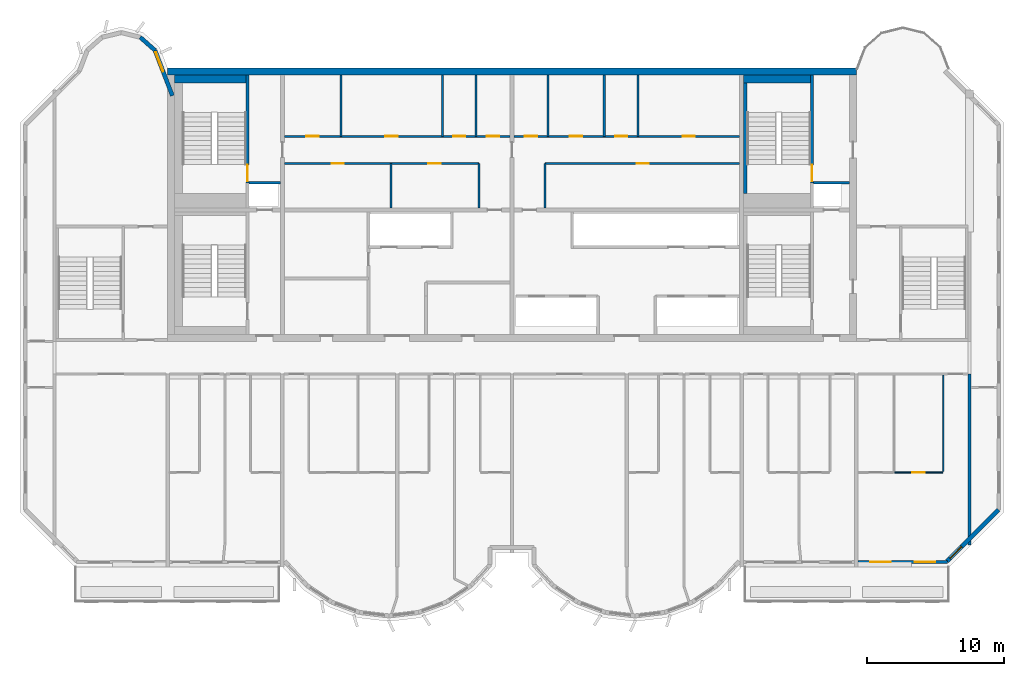
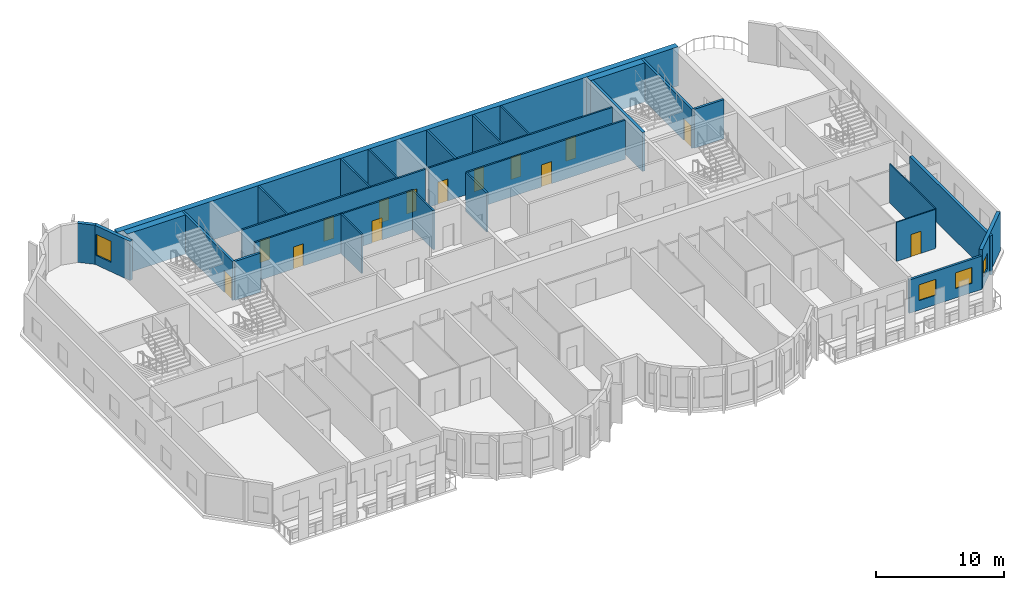
# One storey, part 7 of 11: 28 walls, 14 doors, 4 windows, 18 openings.
"""IFC4 building model written with IfcOpenShell, lengths in metres."""

from ifc_helpers import new_model, si_unit, direction, frame, frame_2d, origin, place, context, subcontext, project, spatial, rectangle, extrude, source, transform, mapped, material, layer, layer_set, type_object, element, fill, save


model = new_model("IFC4")

# Units and contexts
model_context = context("Model", 3, precision=1e-05, world=origin(), true_north=direction((0.0, 1.0)))
body_context = subcontext(model_context, "Body", "Model", "MODEL_VIEW")
ifc_project = project(units=[si_unit("LENGTHUNIT", "METRE"), si_unit("AREAUNIT", "SQUARE_METRE"), si_unit("VOLUMEUNIT", "CUBIC_METRE"), si_unit("PLANEANGLEUNIT", "RADIAN"), si_unit("MASSUNIT", "GRAM", prefix="KILO")], contexts=[model_context])

# Site, building, storey
site_placement = place(None, origin())
site = spatial("IfcSite", under=ifc_project, at=site_placement, CompositionType="ELEMENT")
building_placement = place(site_placement, origin())
building = spatial("IfcBuilding", under=site, at=building_placement, Name="Vanashikhar Sky Hotel", CompositionType="ELEMENT")
storey_placement = place(building_placement, frame((0.0, 0.0, 305.699951171875)))
storey = spatial("IfcBuildingStorey", under=building, at=storey_placement, Name="L73", CompositionType="ELEMENT", Elevation=305.699951171875)

# Walls
ifc_material_1 = material(Name="Concrete M50", Category="concrete")
ifc_layer_1 = layer(ifc_material_1, 0.5)
ifc_layer_set_1 = layer_set([ifc_layer_1], Name="RC core shell wall 500 Concrete M50")
wall_type_1 = type_object("IfcWallType", Name="RC core shell wall 500 Concrete M50", PredefinedType="SHEAR", material=ifc_layer_set_1)
shared_shape_1 = source(origin(), body_context, "Body", "SweptSolid", [
    extrude(rectangle(XDim=50.400146484375, YDim=0.5, at=frame_2d((25.2001953125, 0.0))), origin(), (0.0, 0.0, 1.0), 3.719970703125),
])
wall_1_placement = place(storey_placement, frame((25.199951171875, 41.75, 0.0), z_axis=(0.0, 0.0, 1.0), x_axis=(1.0, 0.0, 0.0)))
element("IfcWall", 1, at=wall_1_placement, inside=storey, type_object=wall_type_1, Name="KW-L73-KN", PredefinedType="SHEAR", context=body_context, shape_type="MappedRepresentation", body=[
    mapped(shared_shape_1, transform((0.0, 0.0, 0.0), scale=1.0)),
])
ifc_layer_2 = layer(ifc_material_1, 0.25)
ifc_layer_set_2 = layer_set([ifc_layer_2], Name="RC shear wall 250 Concrete M50")
wall_type_2 = type_object("IfcWallType", Name="RC shear wall 250 Concrete M50", PredefinedType="SHEAR", material=ifc_layer_set_2)
shared_shape_2 = source(origin(), body_context, "Body", "SweptSolid", [
    extrude(rectangle(XDim=12.5, YDim=0.25, at=frame_2d((6.25, 0.0))), origin(), (0.0, 0.0, 1.0), 3.719970703125),
])
wall_2_placement = place(storey_placement, frame((83.875, 7.10009765625, 0.0), z_axis=(0.0, 0.0, 1.0), x_axis=(0.0, 1.0, 0.0)))
element("IfcWall", 2, at=wall_2_placement, inside=storey, type_object=wall_type_2, Name="CW-L73-XW11-1", PredefinedType="SHEAR", context=body_context, shape_type="MappedRepresentation", body=[
    mapped(shared_shape_2, transform((0.0, 0.0, 0.0), scale=1.0)),
])

# Wall, openings, windows
ifc_layer_3 = layer(ifc_material_1, 0.199951171875)
ifc_layer_set_3 = layer_set([ifc_layer_3], Name="Front window wall 200")
wall_type_3 = type_object("IfcWallType", Name="Front window wall 200", PredefinedType="SOLIDWALL", material=ifc_layer_set_3)
shared_shape_3 = source(origin(), body_context, "Body", "SweptSolid", [
    extrude(rectangle(XDim=6.52978515625, YDim=0.199951171875, at=frame_2d((3.264892578125, 0.0))), origin(), (0.0, 0.0, 1.0), 3.170166015625),
])
wall_3_placement = place(storey_placement, frame((75.72509765625, 5.85009765625, 0.0), z_axis=(0.0, 0.0, 1.0), x_axis=(1.0, 0.0, 0.0)))
wall_3 = element("IfcWall", 3, at=wall_3_placement, inside=storey, type_object=wall_type_3, Name="Front window wall", PredefinedType="SOLIDWALL", context=body_context, shape_type="MappedRepresentation", body=[
    mapped(shared_shape_3, transform((0.0, 0.0, 0.0), scale=1.0)),
])
shared_shape_4 = source(origin(), body_context, "Body", "SweptSolid", [
    extrude(rectangle(XDim=1.5, YDim=1.5, at=frame_2d((0.75, 0.75))), frame((0.0, 0.10986328125, 0.0), z_axis=(0.0, -1.0, 0.0), x_axis=(1.0, 0.0, 0.0)), (0.0, 0.0, 1.0), 0.219970703125),
])
opening_1_placement = place(wall_3_placement, frame((0.882568359375, 0.0, 0.89990234375)))
opening_1 = element("IfcOpeningElement", 4, at=opening_1_placement, cuts=wall_3, Name="Opening WN-1", PredefinedType="OPENING", context=body_context, shape_type="MappedRepresentation", body=[
    mapped(shared_shape_4, transform((0.0, 0.0, 0.0), scale=1.0)),
])
opening_2_placement = place(wall_3_placement, frame((4.1474609375, 0.0, 0.89990234375)))
opening_2 = element("IfcOpeningElement", 5, at=opening_2_placement, cuts=wall_3, Name="Opening WN-1", PredefinedType="OPENING", context=body_context, shape_type="MappedRepresentation", body=[
    mapped(shared_shape_4, transform((0.0, 0.0, 0.0), scale=1.0)),
])
ifc_material_2 = material(Name="Glass", Category="glass")
window_type_1 = type_object("IfcWindowType", Name="Window 1500 x 1500", PartitioningType="SINGLE_PANEL", PredefinedType="WINDOW", material=ifc_material_2)
shared_shape_5 = source(origin(), body_context, "Body", "SweptSolid", [
    extrude(rectangle(XDim=1.5, YDim=1.5, at=frame_2d((0.75, 0.75))), frame((0.0, 0.030029296875, 0.0), z_axis=(0.0, -1.0, 0.0), x_axis=(1.0, 0.0, 0.0)), (0.0, 0.0, 1.0), 0.06005859375),
])
window_1_placement = place(opening_1_placement, origin())
window_1 = element("IfcWindow", 6, at=window_1_placement, inside=storey, type_object=window_type_1, Name="Window WN-1", OverallHeight=1.5, OverallWidth=1.5, PartitioningType="SINGLE_PANEL", PredefinedType="WINDOW", context=body_context, shape_type="MappedRepresentation", body=[
    mapped(shared_shape_5, transform((0.0, 0.0, 0.0), scale=1.0)),
])
fill(opening_1, window_1)
window_2_placement = place(opening_2_placement, origin())
window_2 = element("IfcWindow", 7, at=window_2_placement, inside=storey, type_object=window_type_1, Name="Window WN-1", OverallHeight=1.5, OverallWidth=1.5, PartitioningType="SINGLE_PANEL", PredefinedType="WINDOW", context=body_context, shape_type="MappedRepresentation", body=[
    mapped(shared_shape_5, transform((0.0, 0.0, 0.0), scale=1.0)),
])
fill(opening_2, window_2)

# Wall, opening, window
ifc_layer_4 = layer(ifc_material_1, 0.300048828125)
ifc_layer_set_4 = layer_set([ifc_layer_4], Name="Lobe wall 300")
wall_type_4 = type_object("IfcWallType", Name="Lobe wall 300", PredefinedType="SOLIDWALL", material=ifc_layer_set_4)
shared_shape_6 = source(origin(), body_context, "Body", "SweptSolid", [
    extrude(rectangle(XDim=5.32568359375, YDim=0.300048828125, at=frame_2d((2.662841796875, 0.0))), origin(), (0.0, 0.0, 1.0), 3.719970703125),
])
wall_4_placement = place(storey_placement, frame((82.234375, 5.89990234375, 0.0), z_axis=(0.0, 0.0, 1.0), x_axis=(0.707083859269, 0.707129702361, 0.0)))
wall_4 = element("IfcWall", 8, at=wall_4_placement, inside=storey, type_object=wall_type_4, Name="Corner wall", PredefinedType="SOLIDWALL", context=body_context, shape_type="MappedRepresentation", body=[
    mapped(shared_shape_6, transform((0.0, 0.0, 0.0), scale=1.0)),
])
shared_shape_7 = source(origin(), body_context, "Body", "SweptSolid", [
    extrude(rectangle(XDim=1.199951171875, YDim=1.5, at=frame_2d((0.60009765625, 0.75))), frame((0.0, 0.16015625, 0.0), z_axis=(0.0, -1.0, 0.0), x_axis=(1.0, 0.0, 0.0)), (0.0, 0.0, 1.0), 0.320068359375),
])
opening_3_placement = place(wall_4_placement, frame((0.31005859375, 0.0, 0.89990234375)))
opening_3 = element("IfcOpeningElement", 9, at=opening_3_placement, cuts=wall_4, Name="Opening WN-3", PredefinedType="OPENING", context=body_context, shape_type="MappedRepresentation", body=[
    mapped(shared_shape_7, transform((0.0, 0.0, 0.0), scale=1.0)),
])
window_type_2 = type_object("IfcWindowType", Name="Corridor end window 1200 x 1500", PartitioningType="SINGLE_PANEL", PredefinedType="WINDOW", material=ifc_material_2)
shared_shape_8 = source(origin(), body_context, "Body", "SweptSolid", [
    extrude(rectangle(XDim=1.199951171875, YDim=1.5, at=frame_2d((0.60009765625, 0.75))), frame((0.0, 0.030029296875, 0.0), z_axis=(0.0, -1.0, 0.0), x_axis=(1.0, 0.0, 0.0)), (0.0, 0.0, 1.0), 0.06005859375),
])
window_3_placement = place(opening_3_placement, origin())
window_3 = element("IfcWindow", 10, at=window_3_placement, inside=storey, type_object=window_type_2, Name="Window WN-3", OverallHeight=1.5, OverallWidth=1.199951171875, PartitioningType="SINGLE_PANEL", PredefinedType="WINDOW", context=body_context, shape_type="MappedRepresentation", body=[
    mapped(shared_shape_8, transform((0.0, 0.0, 0.0), scale=1.0)),
])
fill(opening_3, window_3)

shared_shape_9 = source(origin(), body_context, "Body", "SweptSolid", [
    extrude(rectangle(XDim=3.55908203125, YDim=0.300048828125, at=frame_2d((1.779541015625, 0.0))), origin(), (0.0, 0.0, 1.0), 3.719970703125),
])
wall_5_placement = place(storey_placement, frame((25.550048828125, 39.968505859375, 0.0), z_axis=(0.0, 0.0, 1.0), x_axis=(-0.35779745313, 0.933799219604, 0.0)))
wall_5 = element("IfcWall", 11, at=wall_5_placement, inside=storey, type_object=wall_type_4, Name="Lobe wall", PredefinedType="SOLIDWALL", context=body_context, shape_type="MappedRepresentation", body=[
    mapped(shared_shape_9, transform((0.0, 0.0, 0.0), scale=1.0)),
])
shared_shape_10 = source(origin(), body_context, "Body", "SweptSolid", [
    extrude(rectangle(XDim=1.5, YDim=2.0, at=frame_2d((0.75, 1.0))), frame((0.0, 0.16015625, 0.0), z_axis=(0.0, -1.0, 0.0), x_axis=(1.0, 0.0, 0.0)), (0.0, 0.0, 1.0), 0.320068359375),
])
opening_4_placement = place(wall_5_placement, frame((1.9033203125, 0.0, 0.89990234375)))
opening_4 = element("IfcOpeningElement", 12, at=opening_4_placement, cuts=wall_5, Name="Opening WN-2", PredefinedType="OPENING", context=body_context, shape_type="MappedRepresentation", body=[
    mapped(shared_shape_10, transform((0.0, 0.0, 0.0), scale=1.0)),
])
window_type_3 = type_object("IfcWindowType", Name="Lobe window 1500 x 2000", PartitioningType="SINGLE_PANEL", PredefinedType="WINDOW", material=ifc_material_2)
shared_shape_11 = source(origin(), body_context, "Body", "SweptSolid", [
    extrude(rectangle(XDim=1.5, YDim=2.0, at=frame_2d((0.75, 1.0))), frame((0.0, 0.030029296875, 0.0), z_axis=(0.0, -1.0, 0.0), x_axis=(1.0, 0.0, 0.0)), (0.0, 0.0, 1.0), 0.06005859375),
])
window_4_placement = place(opening_4_placement, origin())
window_4 = element("IfcWindow", 13, at=window_4_placement, inside=storey, type_object=window_type_3, Name="Window WN-2", OverallHeight=2.0, OverallWidth=1.5, PartitioningType="SINGLE_PANEL", PredefinedType="WINDOW", context=body_context, shape_type="MappedRepresentation", body=[
    mapped(shared_shape_11, transform((0.0, 0.0, 0.0), scale=1.0)),
])
fill(opening_4, window_4)

# Walls
shared_shape_12 = source(origin(), body_context, "Body", "SweptSolid", [
    extrude(rectangle(XDim=1.440185546875, YDim=0.300048828125, at=frame_2d((0.72021484375, 0.0))), origin(), (0.0, 0.0, 1.0), 3.719970703125),
])
wall_6_placement = place(storey_placement, frame((24.276611328125, 43.2919921875, 0.0), z_axis=(0.0, 0.0, 1.0), x_axis=(-0.749649827867, 0.661834673902, 0.0)))
element("IfcWall", 14, at=wall_6_placement, inside=storey, type_object=wall_type_4, Name="Lobe wall", PredefinedType="SOLIDWALL", context=body_context, shape_type="MappedRepresentation", body=[
    mapped(shared_shape_12, transform((0.0, 0.0, 0.0), scale=1.0)),
])
ifc_material_3 = material(Name="Gypsum board partition")
ifc_layer_5 = layer(ifc_material_3, 0.14990234375)
ifc_layer_set_5 = layer_set([ifc_layer_5], Name="Service partition 150")
wall_type_5 = type_object("IfcWallType", Name="Service partition 150", PredefinedType="PARTITIONING", material=ifc_layer_set_5)
shared_shape_13 = source(origin(), body_context, "Body", "SweptSolid", [
    extrude(rectangle(XDim=3.25, YDim=0.14990234375, at=frame_2d((1.625, 0.0))), origin(), (0.0, 0.0, 1.0), 3.719970703125),
])
for number, where, z_axis, x_axis, name in (
    (15, (48.0, 31.75, 0.0), (0.0, 0.0, 1.0), (0.0, 1.0, 0.0), "Service partition 150"),
    (16, (41.5458984375, 31.75, 0.0), (0.0, 0.0, 1.0), (0.0, 1.0, 0.0), "Service partition 150"),
    (17, (52.800048828125, 31.75, 0.0), (0.0, 0.0, 1.0), (0.0, 1.0, 0.0), "Service partition 150"),
):
    element("IfcWall", number, at=place(storey_placement, frame(where, z_axis=z_axis, x_axis=x_axis)), inside=storey, type_object=wall_type_5, Name=name, PredefinedType="PARTITIONING", context=body_context, shape_type="MappedRepresentation", body=[
        mapped(shared_shape_13, transform((0.0, 0.0, 0.0), scale=1.0)),
    ])

# Wall, openings, doors
shared_shape_14 = source(origin(), body_context, "Body", "SweptSolid", [
    extrude(rectangle(XDim=14.25, YDim=0.14990234375, at=frame_2d((7.125, 0.0))), origin(), (0.0, 0.0, 1.0), 3.719970703125),
])
wall_7_placement = place(storey_placement, frame((33.75, 35.0, 0.0), z_axis=(0.0, 0.0, 1.0), x_axis=(1.0, 0.0, 0.0)))
wall_7 = element("IfcWall", 18, at=wall_7_placement, inside=storey, type_object=wall_type_5, Name="Service partition 150", PredefinedType="PARTITIONING", context=body_context, shape_type="MappedRepresentation", body=[
    mapped(shared_shape_14, transform((0.0, 0.0, 0.0), scale=1.0)),
])
shared_shape_15 = source(origin(), body_context, "Body", "SweptSolid", [
    extrude(rectangle(XDim=0.89990234375, YDim=2.10009765625, at=frame_2d((0.449951171875, 1.050048828125))), frame((0.0, 0.0849609375, 0.0), z_axis=(0.0, -1.0, 0.0), x_axis=(1.0, 0.0, 0.0)), (0.0, 0.0, 1.0), 0.169921875),
])
opening_5_placement = place(wall_7_placement, frame((3.447998046875, 0.0, 0.0)))
opening_5 = element("IfcOpeningElement", 19, at=opening_5_placement, cuts=wall_7, Name="Opening DC-4-A", PredefinedType="OPENING", context=body_context, shape_type="MappedRepresentation", body=[
    mapped(shared_shape_15, transform((0.0, 0.0, 0.0), scale=1.0)),
])
opening_6_placement = place(wall_7_placement, frame((10.535888671875, 0.0, 0.0)))
opening_6 = element("IfcOpeningElement", 20, at=opening_6_placement, cuts=wall_7, Name="Opening DC-4-A", PredefinedType="OPENING", context=body_context, shape_type="MappedRepresentation", body=[
    mapped(shared_shape_15, transform((0.0, 0.0, 0.0), scale=1.0)),
])
ifc_material_4 = material(Name="Steel", Category="steel")
door_type_1 = type_object("IfcDoorType", Name="Service door 900 FD60", OperationType="NOTDEFINED", PredefinedType="DOOR", material=ifc_material_4)
shared_shape_16 = source(origin(), body_context, "Body", "SweptSolid", [
    extrude(rectangle(XDim=0.89990234375, YDim=2.10009765625, at=frame_2d((0.449951171875, 1.050048828125))), frame((0.0, 0.02490234375, 0.0), z_axis=(0.0, -1.0, 0.0), x_axis=(1.0, 0.0, 0.0)), (0.0, 0.0, 1.0), 0.050048828125),
])
door_1_placement = place(opening_5_placement, origin())
door_1 = element("IfcDoor", 21, at=door_1_placement, inside=storey, type_object=door_type_1, Name="Service door 900 FD60", OperationType="SINGLE_SWING_RIGHT", OverallHeight=2.10009765625, OverallWidth=0.89990234375, PredefinedType="DOOR", context=body_context, shape_type="MappedRepresentation", body=[
    mapped(shared_shape_16, transform((0.0, 0.0, 0.0), scale=1.0)),
])
fill(opening_5, door_1)
door_2_placement = place(opening_6_placement, origin())
door_2 = element("IfcDoor", 22, at=door_2_placement, inside=storey, type_object=door_type_1, Name="Service door 900 FD60", OperationType="SINGLE_SWING_RIGHT", OverallHeight=2.10009765625, OverallWidth=0.89990234375, PredefinedType="DOOR", context=body_context, shape_type="MappedRepresentation", body=[
    mapped(shared_shape_16, transform((0.0, 0.0, 0.0), scale=1.0)),
])
fill(opening_6, door_2)

# Wall, opening, door
wall_8_placement = place(storey_placement, frame((67.050048828125, 35.0, 0.0), z_axis=(0.0, 0.0, 1.0), x_axis=(-1.0, 0.0, 0.0)))
wall_8 = element("IfcWall", 23, at=wall_8_placement, inside=storey, type_object=wall_type_5, Name="Service partition 150", PredefinedType="PARTITIONING", context=body_context, shape_type="MappedRepresentation", body=[
    mapped(shared_shape_14, transform((0.0, 0.0, 0.0), scale=1.0)),
])
opening_7_placement = place(wall_8_placement, frame((6.637939453125, 0.0, 0.0)))
opening_7 = element("IfcOpeningElement", 24, at=opening_7_placement, cuts=wall_8, Name="Opening DC-4-A", PredefinedType="OPENING", context=body_context, shape_type="MappedRepresentation", body=[
    mapped(shared_shape_15, transform((0.0, 0.0, 0.0), scale=1.0)),
])
door_3_placement = place(opening_7_placement, origin())
door_3 = element("IfcDoor", 25, at=door_3_placement, inside=storey, type_object=door_type_1, Name="Service door 900 FD60", OperationType="SINGLE_SWING_RIGHT", OverallHeight=2.10009765625, OverallWidth=0.89990234375, PredefinedType="DOOR", context=body_context, shape_type="MappedRepresentation", body=[
    mapped(shared_shape_16, transform((0.0, 0.0, 0.0), scale=1.0)),
])
fill(opening_7, door_3)

# Wall, openings, doors
shared_shape_17 = source(origin(), body_context, "Body", "SweptSolid", [
    extrude(rectangle(XDim=16.5, YDim=0.14990234375, at=frame_2d((8.25, 0.0))), origin(), (0.0, 0.0, 1.0), 3.719970703125),
])
wall_9_placement = place(storey_placement, frame((33.75, 37.0, 0.0), z_axis=(0.0, 0.0, 1.0), x_axis=(1.0, 0.0, 0.0)))
wall_9 = element("IfcWall", 26, at=wall_9_placement, inside=storey, type_object=wall_type_5, Name="Service partition 150", PredefinedType="PARTITIONING", context=body_context, shape_type="MappedRepresentation", body=[
    mapped(shared_shape_17, transform((0.0, 0.0, 0.0), scale=1.0)),
])
opening_8_placement = place(wall_9_placement, frame((1.612060546875, 0.0, 0.0)))
opening_8 = element("IfcOpeningElement", 27, at=opening_8_placement, cuts=wall_9, Name="Opening DC-4-A", PredefinedType="OPENING", context=body_context, shape_type="MappedRepresentation", body=[
    mapped(shared_shape_15, transform((0.0, 0.0, 0.0), scale=1.0)),
])
opening_9_placement = place(wall_9_placement, frame((7.386962890625, 0.0, 0.0)))
opening_9 = element("IfcOpeningElement", 28, at=opening_9_placement, cuts=wall_9, Name="Opening DC-4-A", PredefinedType="OPENING", context=body_context, shape_type="MappedRepresentation", body=[
    mapped(shared_shape_15, transform((0.0, 0.0, 0.0), scale=1.0)),
])
opening_10_placement = place(wall_9_placement, frame((12.3369140625, 0.0, 0.0)))
opening_10 = element("IfcOpeningElement", 29, at=opening_10_placement, cuts=wall_9, Name="Opening DC-4-A", PredefinedType="OPENING", context=body_context, shape_type="MappedRepresentation", body=[
    mapped(shared_shape_15, transform((0.0, 0.0, 0.0), scale=1.0)),
])
opening_11_placement = place(wall_9_placement, frame((14.81298828125, 0.0, 0.0)))
opening_11 = element("IfcOpeningElement", 30, at=opening_11_placement, cuts=wall_9, Name="Opening DC-4-A", PredefinedType="OPENING", context=body_context, shape_type="MappedRepresentation", body=[
    mapped(shared_shape_15, transform((0.0, 0.0, 0.0), scale=1.0)),
])
door_4_placement = place(opening_8_placement, origin())
door_4 = element("IfcDoor", 31, at=door_4_placement, inside=storey, type_object=door_type_1, Name="Service door 900 FD60", OperationType="SINGLE_SWING_RIGHT", OverallHeight=2.10009765625, OverallWidth=0.89990234375, PredefinedType="DOOR", context=body_context, shape_type="MappedRepresentation", body=[
    mapped(shared_shape_16, transform((0.0, 0.0, 0.0), scale=1.0)),
])
fill(opening_8, door_4)
door_5_placement = place(opening_9_placement, origin())
door_5 = element("IfcDoor", 32, at=door_5_placement, inside=storey, type_object=door_type_1, Name="Service door 900 FD60", OperationType="SINGLE_SWING_LEFT", OverallHeight=2.10009765625, OverallWidth=0.89990234375, PredefinedType="DOOR", context=body_context, shape_type="MappedRepresentation", body=[
    mapped(shared_shape_16, transform((0.0, 0.0, 0.0), scale=1.0)),
])
fill(opening_9, door_5)
door_6_placement = place(opening_10_placement, origin())
door_6 = element("IfcDoor", 33, at=door_6_placement, inside=storey, type_object=door_type_1, Name="Service door 900 FD60", OperationType="SINGLE_SWING_LEFT", OverallHeight=2.10009765625, OverallWidth=0.89990234375, PredefinedType="DOOR", context=body_context, shape_type="MappedRepresentation", body=[
    mapped(shared_shape_16, transform((0.0, 0.0, 0.0), scale=1.0)),
])
fill(opening_10, door_6)
door_7_placement = place(opening_11_placement, origin())
door_7 = element("IfcDoor", 34, at=door_7_placement, inside=storey, type_object=door_type_1, Name="Service door 900 FD60", OperationType="SINGLE_SWING_LEFT", OverallHeight=2.10009765625, OverallWidth=0.89990234375, PredefinedType="DOOR", context=body_context, shape_type="MappedRepresentation", body=[
    mapped(shared_shape_16, transform((0.0, 0.0, 0.0), scale=1.0)),
])
fill(opening_11, door_7)

wall_10_placement = place(storey_placement, frame((67.050048828125, 37.0, 0.0), z_axis=(0.0, 0.0, 1.0), x_axis=(-1.0, 0.0, 0.0)))
wall_10 = element("IfcWall", 35, at=wall_10_placement, inside=storey, type_object=wall_type_5, Name="Service partition 150", PredefinedType="PARTITIONING", context=body_context, shape_type="MappedRepresentation", body=[
    mapped(shared_shape_17, transform((0.0, 0.0, 0.0), scale=1.0)),
])
opening_12_placement = place(wall_10_placement, frame((3.262939453125, 0.0, 0.0)))
opening_12 = element("IfcOpeningElement", 36, at=opening_12_placement, cuts=wall_10, Name="Opening DC-4-A", PredefinedType="OPENING", context=body_context, shape_type="MappedRepresentation", body=[
    mapped(shared_shape_15, transform((0.0, 0.0, 0.0), scale=1.0)),
])
opening_13_placement = place(wall_10_placement, frame((8.2119140625, 0.0, 0.0)))
opening_13 = element("IfcOpeningElement", 37, at=opening_13_placement, cuts=wall_10, Name="Opening DC-4-A", PredefinedType="OPENING", context=body_context, shape_type="MappedRepresentation", body=[
    mapped(shared_shape_15, transform((0.0, 0.0, 0.0), scale=1.0)),
])
opening_14_placement = place(wall_10_placement, frame((11.512939453125, 0.0, 0.0)))
opening_14 = element("IfcOpeningElement", 38, at=opening_14_placement, cuts=wall_10, Name="Opening DC-4-A", PredefinedType="OPENING", context=body_context, shape_type="MappedRepresentation", body=[
    mapped(shared_shape_15, transform((0.0, 0.0, 0.0), scale=1.0)),
])
opening_15_placement = place(wall_10_placement, frame((14.81298828125, 0.0, 0.0)))
opening_15 = element("IfcOpeningElement", 39, at=opening_15_placement, cuts=wall_10, Name="Opening DC-4-A", PredefinedType="OPENING", context=body_context, shape_type="MappedRepresentation", body=[
    mapped(shared_shape_15, transform((0.0, 0.0, 0.0), scale=1.0)),
])
door_8_placement = place(opening_12_placement, origin())
door_8 = element("IfcDoor", 40, at=door_8_placement, inside=storey, type_object=door_type_1, Name="Service door 900 FD60", OperationType="SINGLE_SWING_RIGHT", OverallHeight=2.10009765625, OverallWidth=0.89990234375, PredefinedType="DOOR", context=body_context, shape_type="MappedRepresentation", body=[
    mapped(shared_shape_16, transform((0.0, 0.0, 0.0), scale=1.0)),
])
fill(opening_12, door_8)
door_9_placement = place(opening_13_placement, origin())
door_9 = element("IfcDoor", 41, at=door_9_placement, inside=storey, type_object=door_type_1, Name="Service door 900 FD60", OperationType="SINGLE_SWING_RIGHT", OverallHeight=2.10009765625, OverallWidth=0.89990234375, PredefinedType="DOOR", context=body_context, shape_type="MappedRepresentation", body=[
    mapped(shared_shape_16, transform((0.0, 0.0, 0.0), scale=1.0)),
])
fill(opening_13, door_9)
door_10_placement = place(opening_14_placement, origin())
door_10 = element("IfcDoor", 42, at=door_10_placement, inside=storey, type_object=door_type_1, Name="Service door 900 FD60", OperationType="SINGLE_SWING_RIGHT", OverallHeight=2.10009765625, OverallWidth=0.89990234375, PredefinedType="DOOR", context=body_context, shape_type="MappedRepresentation", body=[
    mapped(shared_shape_16, transform((0.0, 0.0, 0.0), scale=1.0)),
])
fill(opening_14, door_10)
door_11_placement = place(opening_15_placement, origin())
door_11 = element("IfcDoor", 43, at=door_11_placement, inside=storey, type_object=door_type_1, Name="Service door 900 FD60", OperationType="SINGLE_SWING_RIGHT", OverallHeight=2.10009765625, OverallWidth=0.89990234375, PredefinedType="DOOR", context=body_context, shape_type="MappedRepresentation", body=[
    mapped(shared_shape_16, transform((0.0, 0.0, 0.0), scale=1.0)),
])
fill(opening_15, door_11)

# Walls
shared_shape_18 = source(origin(), body_context, "Body", "SweptSolid", [
    extrude(rectangle(XDim=4.5, YDim=0.14990234375, at=frame_2d((2.25, 0.0))), origin(), (0.0, 0.0, 1.0), 3.719970703125),
])
for number, where, z_axis, x_axis, name in (
    (44, (37.875, 37.0, 0.0), (0.0, 0.0, 1.0), (0.0, 1.0, 0.0), "Service partition 150"),
    (45, (45.300048828125, 37.0, 0.0), (0.0, 0.0, 1.0), (0.0, 1.0, 0.0), "Service partition 150"),
    (46, (47.77490234375, 37.0, 0.0), (0.0, 0.0, 1.0), (0.0, 1.0, 0.0), "Service partition 150"),
    (47, (59.625, 37.0, 0.0), (0.0, 0.0, 1.0), (0.0, 1.0, 0.0), "Service partition 150"),
    (48, (57.14990234375, 37.0, 0.0), (0.0, 0.0, 1.0), (0.0, 1.0, 0.0), "Service partition 150"),
    (49, (53.02490234375, 37.0, 0.0), (0.0, 0.0, 1.0), (0.0, 1.0, 0.0), "Service partition 150"),
):
    element("IfcWall", number, at=place(storey_placement, frame(where, z_axis=z_axis, x_axis=x_axis)), inside=storey, type_object=wall_type_5, Name=name, PredefinedType="PARTITIONING", context=body_context, shape_type="MappedRepresentation", body=[
        mapped(shared_shape_18, transform((0.0, 0.0, 0.0), scale=1.0)),
    ])
ifc_material_5 = material(Name="Concrete M40", Category="concrete")
ifc_layer_6 = layer(ifc_material_5, 0.199951171875)
ifc_layer_set_6 = layer_set([ifc_layer_6], Name="Shaft wall 200")
wall_type_6 = type_object("IfcWallType", Name="Shaft wall 200", PredefinedType="SOLIDWALL", material=ifc_layer_set_6)
shared_shape_19 = source(origin(), body_context, "Body", "SweptSolid", [
    extrude(rectangle(XDim=2.300048828125, YDim=0.199951171875, at=frame_2d((1.14990234375, 0.0))), origin(), (0.0, 0.0, 1.0), 3.719970703125),
])
wall_11_placement = place(storey_placement, frame((31.14990234375, 33.60009765625, 0.0), z_axis=(0.0, 0.0, 1.0), x_axis=(1.0, 0.0, 0.0)))
element("IfcWall", 50, at=wall_11_placement, inside=storey, type_object=wall_type_6, Name="Shaft wall 200", PredefinedType="SOLIDWALL", context=body_context, shape_type="MappedRepresentation", body=[
    mapped(shared_shape_19, transform((0.0, 0.0, 0.0), scale=1.0)),
])

# Wall, opening, door
ifc_layer_7 = layer(ifc_material_1, 0.199951171875)
ifc_layer_set_7 = layer_set([ifc_layer_7], Name="Stair wall 200")
wall_type_7 = type_object("IfcWallType", Name="Stair wall 200", PredefinedType="SOLIDWALL", material=ifc_layer_set_7)
shared_shape_20 = source(origin(), body_context, "Body", "SweptSolid", [
    extrude(rectangle(XDim=7.89990234375, YDim=0.199951171875, at=frame_2d((3.949951171875, 0.0))), origin(), (0.0, 0.0, 1.0), 3.719970703125),
])
wall_12_placement = place(storey_placement, frame((31.050048828125, 33.60009765625, 0.0), z_axis=(0.0, 0.0, 1.0), x_axis=(0.0, 1.0, 0.0)))
wall_12 = element("IfcWall", 51, at=wall_12_placement, inside=storey, type_object=wall_type_7, Name="Stair wall 200", PredefinedType="SOLIDWALL", context=body_context, shape_type="MappedRepresentation", body=[
    mapped(shared_shape_20, transform((0.0, 0.0, 0.0), scale=1.0)),
])
shared_shape_21 = source(origin(), body_context, "Body", "SweptSolid", [
    extrude(rectangle(XDim=1.199951171875, YDim=2.10009765625, at=frame_2d((0.60009765625, 1.050048828125))), frame((0.0, 0.10986328125, 0.0), z_axis=(0.0, -1.0, 0.0), x_axis=(1.0, 0.0, 0.0)), (0.0, 0.0, 1.0), 0.219970703125),
])
opening_16_placement = place(wall_12_placement, frame((0.10009765625, 0.0, 0.0)))
opening_16 = element("IfcOpeningElement", 52, at=opening_16_placement, cuts=wall_12, Name="Opening DC-1", PredefinedType="OPENING", context=body_context, shape_type="MappedRepresentation", body=[
    mapped(shared_shape_21, transform((0.0, 0.0, 0.0), scale=1.0)),
])
door_type_2 = type_object("IfcDoorType", Name="Stair door 1200 FD120", OperationType="NOTDEFINED", PredefinedType="DOOR", material=ifc_material_4)
shared_shape_22 = source(origin(), body_context, "Body", "SweptSolid", [
    extrude(rectangle(XDim=1.199951171875, YDim=2.10009765625, at=frame_2d((0.60009765625, 1.050048828125))), frame((0.0, 0.02490234375, 0.0), z_axis=(0.0, -1.0, 0.0), x_axis=(1.0, 0.0, 0.0)), (0.0, 0.0, 1.0), 0.050048828125),
])
door_12_placement = place(opening_16_placement, origin())
door_12 = element("IfcDoor", 53, at=door_12_placement, inside=storey, type_object=door_type_2, Name="Stair door 1200 FD120", OperationType="SINGLE_SWING_LEFT", OverallHeight=2.10009765625, OverallWidth=1.199951171875, PredefinedType="DOOR", context=body_context, shape_type="MappedRepresentation", body=[
    mapped(shared_shape_22, transform((0.0, 0.0, 0.0), scale=1.0)),
])
fill(opening_16, door_12)

wall_13_placement = place(storey_placement, frame((72.35009765625, 33.60009765625, 0.0), z_axis=(0.0, 0.0, 1.0), x_axis=(0.0, 1.0, 0.0)))
wall_13 = element("IfcWall", 54, at=wall_13_placement, inside=storey, type_object=wall_type_7, Name="Stair wall 200", PredefinedType="SOLIDWALL", context=body_context, shape_type="MappedRepresentation", body=[
    mapped(shared_shape_20, transform((0.0, 0.0, 0.0), scale=1.0)),
])
opening_17_placement = place(wall_13_placement, frame((0.10009765625, 0.0, 0.0)))
opening_17 = element("IfcOpeningElement", 55, at=opening_17_placement, cuts=wall_13, Name="Opening DC-1", PredefinedType="OPENING", context=body_context, shape_type="MappedRepresentation", body=[
    mapped(shared_shape_21, transform((0.0, 0.0, 0.0), scale=1.0)),
])
door_13_placement = place(opening_17_placement, origin())
door_13 = element("IfcDoor", 56, at=door_13_placement, inside=storey, type_object=door_type_2, Name="Stair door 1200 FD120", OperationType="SINGLE_SWING_RIGHT", OverallHeight=2.10009765625, OverallWidth=1.199951171875, PredefinedType="DOOR", context=body_context, shape_type="MappedRepresentation", body=[
    mapped(shared_shape_22, transform((0.0, 0.0, 0.0), scale=1.0)),
])
fill(opening_17, door_13)

# Walls
shared_shape_23 = source(origin(), body_context, "Body", "SweptSolid", [
    extrude(rectangle(XDim=2.650146484375, YDim=0.199951171875, at=frame_2d((1.3251953125, 0.0))), origin(), (0.0, 0.0, 1.0), 3.719970703125),
])
wall_14_placement = place(storey_placement, frame((72.449951171875, 33.60009765625, 0.0), z_axis=(0.0, 0.0, 1.0), x_axis=(1.0, 0.0, 0.0)))
element("IfcWall", 57, at=wall_14_placement, inside=storey, type_object=wall_type_6, Name="Shaft wall 200", PredefinedType="SOLIDWALL", context=body_context, shape_type="MappedRepresentation", body=[
    mapped(shared_shape_23, transform((0.0, 0.0, 0.0), scale=1.0)),
])
ifc_layer_8 = layer(ifc_material_1, 0.60009765625)
ifc_layer_set_8 = layer_set([ifc_layer_8], Name="Stair infill wall 600")
wall_type_8 = type_object("IfcWallType", Name="Stair infill wall 600", PredefinedType="SOLIDWALL", material=ifc_layer_set_8)
shared_shape_24 = source(origin(), body_context, "Body", "SweptSolid", [
    extrude(rectangle(XDim=5.25, YDim=0.60009765625, at=frame_2d((2.625, 0.0))), origin(), (0.0, 0.0, 1.0), 3.719970703125),
])
wall_15_placement = place(storey_placement, frame((25.699951171875, 41.199951171875, 0.0), z_axis=(0.0, 0.0, 1.0), x_axis=(1.0, 0.0, 0.0)))
element("IfcWall", 58, at=wall_15_placement, inside=storey, type_object=wall_type_8, Name="Stair infill wall 600", PredefinedType="SOLIDWALL", context=body_context, shape_type="MappedRepresentation", body=[
    mapped(shared_shape_24, transform((0.0, 0.0, 0.0), scale=1.0)),
])
shared_shape_25 = source(origin(), body_context, "Body", "SweptSolid", [
    extrude(rectangle(XDim=4.89990234375, YDim=0.60009765625, at=frame_2d((2.449951171875, 0.0))), origin(), (0.0, 0.0, 1.0), 3.719970703125),
])
wall_16_placement = place(storey_placement, frame((67.35009765625, 41.199951171875, 0.0), z_axis=(0.0, 0.0, 1.0), x_axis=(1.0, 0.0, 0.0)))
element("IfcWall", 59, at=wall_16_placement, inside=storey, type_object=wall_type_8, Name="Stair infill wall 600", PredefinedType="SOLIDWALL", context=body_context, shape_type="MappedRepresentation", body=[
    mapped(shared_shape_25, transform((0.0, 0.0, 0.0), scale=1.0)),
])
ifc_layer_9 = layer(ifc_material_1, 0.25)
ifc_layer_set_9 = layer_set([ifc_layer_9], Name="Stair infill wall 250")
wall_type_9 = type_object("IfcWallType", Name="Stair infill wall 250", PredefinedType="SOLIDWALL", material=ifc_layer_set_9)
shared_shape_26 = source(origin(), body_context, "Body", "SweptSolid", [
    extrude(rectangle(XDim=8.099853515625, YDim=0.25, at=frame_2d((4.0498046875, 0.0))), origin(), (0.0, 0.0, 1.0), 3.719970703125),
])
wall_17_placement = place(storey_placement, frame((67.47509765625, 32.800048828125, 0.0), z_axis=(0.0, 0.0, 1.0), x_axis=(0.0, 1.0, 0.0)))
element("IfcWall", 60, at=wall_17_placement, inside=storey, type_object=wall_type_9, Name="Stair infill wall 250", PredefinedType="SOLIDWALL", context=body_context, shape_type="MappedRepresentation", body=[
    mapped(shared_shape_26, transform((0.0, 0.0, 0.0), scale=1.0)),
])

# Wall, opening, door
ifc_material_6 = material(Name="Gypsum plasterboard partition")
ifc_layer_10 = layer(ifc_material_6, 0.10009765625)
ifc_layer_set_10 = layer_set([ifc_layer_10], Name="Wet room partition 100")
wall_type_10 = type_object("IfcWallType", Name="Wet room partition 100", PredefinedType="PARTITIONING", material=ifc_layer_set_10)
shared_shape_27 = source(origin(), body_context, "Body", "SweptSolid", [
    extrude(rectangle(XDim=3.5, YDim=0.10009765625, at=frame_2d((1.75, 0.0))), origin(), (0.0, 0.0, 1.0), 3.719970703125),
])
wall_18_placement = place(storey_placement, frame((78.39990234375, 12.39990234375, 0.0), z_axis=(0.0, 0.0, 1.0), x_axis=(1.0, 0.0, 0.0)))
wall_18 = element("IfcWall", 61, at=wall_18_placement, inside=storey, type_object=wall_type_10, Name="W-L73-PW038", PredefinedType="PARTITIONING", context=body_context, shape_type="MappedRepresentation", body=[
    mapped(shared_shape_27, transform((0.0, 0.0, 0.0), scale=1.0)),
])
shared_shape_28 = source(origin(), body_context, "Body", "SweptSolid", [
    extrude(rectangle(XDim=0.89990234375, YDim=2.10009765625, at=frame_2d((0.449951171875, 1.050048828125))), frame((0.0, 0.06005859375, 0.0), z_axis=(0.0, -1.0, 0.0), x_axis=(1.0, 0.0, 0.0)), (0.0, 0.0, 1.0), 0.1201171875),
])
opening_18_placement = place(wall_18_placement, frame((1.300048828125, 0.0, 0.0)))
opening_18 = element("IfcOpeningElement", 62, at=opening_18_placement, cuts=wall_18, Name="Opening D-02", PredefinedType="OPENING", context=body_context, shape_type="MappedRepresentation", body=[
    mapped(shared_shape_28, transform((0.0, 0.0, 0.0), scale=1.0)),
])
ifc_material_7 = material(Name="Timber door", Category="wood")
door_type_3 = type_object("IfcDoorType", Name="Internal door 900", OperationType="NOTDEFINED", PredefinedType="DOOR", material=ifc_material_7)
door_14_placement = place(opening_18_placement, origin())
door_14 = element("IfcDoor", 63, at=door_14_placement, inside=storey, type_object=door_type_3, Name="D-L73-022", OperationType="SINGLE_SWING_RIGHT", OverallHeight=2.10009765625, OverallWidth=0.89990234375, PredefinedType="DOOR", context=body_context, shape_type="MappedRepresentation", body=[
    mapped(shared_shape_16, transform((0.0, 0.0, 0.0), scale=1.0)),
])
fill(opening_18, door_14)

# Wall
shared_shape_29 = source(origin(), body_context, "Body", "SweptSolid", [
    extrude(rectangle(XDim=7.0498046875, YDim=0.10009765625, at=frame_2d((3.52490234375, 0.0))), origin(), (0.0, 0.0, 1.0), 3.719970703125),
])
wall_19_placement = place(storey_placement, frame((81.949951171875, 12.47509765625, 0.0), z_axis=(0.0, 0.0, 1.0), x_axis=(0.0, 1.0, 0.0)))
element("IfcWall", 64, at=wall_19_placement, inside=storey, type_object=wall_type_10, Name="W-L73-PW036", PredefinedType="PARTITIONING", context=body_context, shape_type="MappedRepresentation", body=[
    mapped(shared_shape_29, transform((0.0, 0.0, 0.0), scale=1.0)),
])

save(model, "model.ifc")
